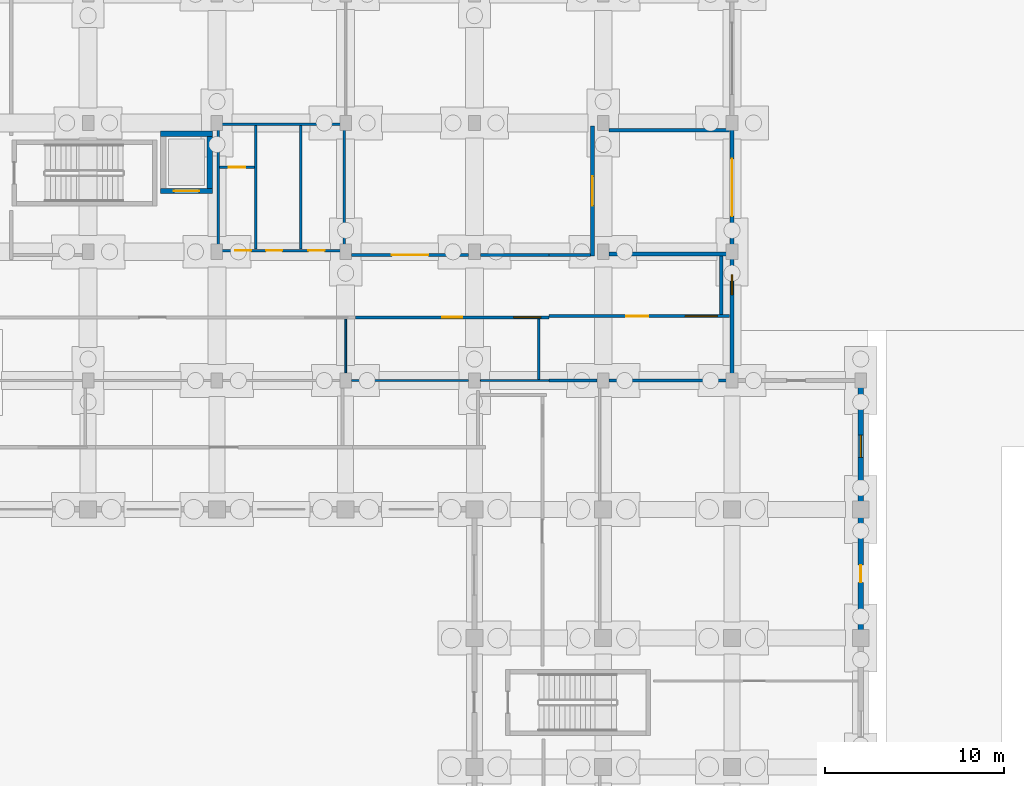
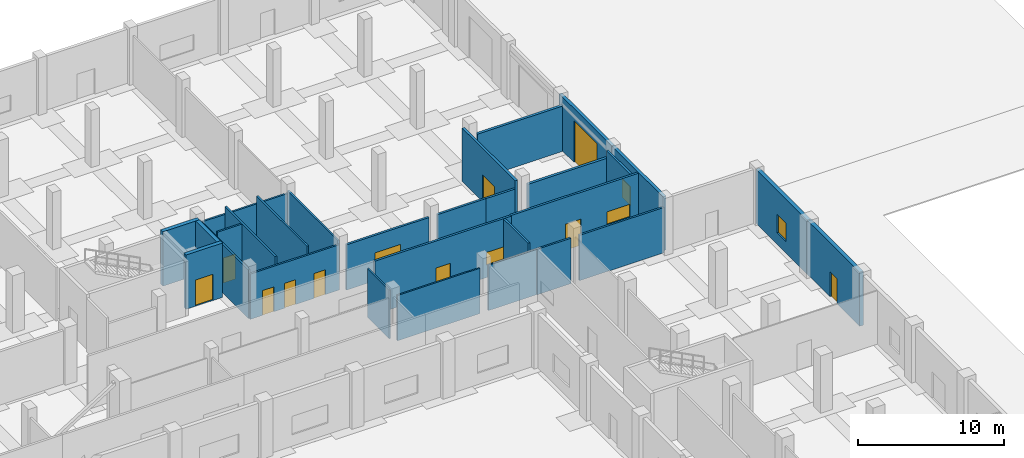
# One storey, part 34 of 48: 29 walls, 11 doors, 4 windows, 15 openings.
"""IFC4 building model written with IfcOpenShell, lengths in metres."""

from ifc_helpers import new_model, si_unit, direction, frame, frame_2d, origin, place, context, subcontext, project, spatial, rectangle, extrude, material, layer, layer_set, type_object, element, fill, save


model = new_model("IFC4")

# Units and contexts
model_context = context("Model", 3, precision=1e-05, world=origin(), true_north=direction((0.0, 1.0)))
body_context = subcontext(model_context, "Body", "Model", "MODEL_VIEW")
ifc_project = project(units=[si_unit("LENGTHUNIT", "METRE"), si_unit("AREAUNIT", "SQUARE_METRE"), si_unit("VOLUMEUNIT", "CUBIC_METRE"), si_unit("PLANEANGLEUNIT", "RADIAN"), si_unit("MASSUNIT", "GRAM", prefix="KILO")], contexts=[model_context])

# Site, building, storey
site_placement = place(None, origin())
site = spatial("IfcSite", under=ifc_project, at=site_placement, CompositionType="ELEMENT")
building_placement = place(site_placement, origin())
building = spatial("IfcBuilding", under=site, at=building_placement, Name="Seraya Terrace Polytechnic", CompositionType="ELEMENT")
storey_placement = place(building_placement, origin())
storey = spatial("IfcBuildingStorey", under=building, at=storey_placement, Name="L00", CompositionType="ELEMENT", Elevation=0.0)

# Wall, opening, window
ifc_material_1 = material(Name="Concrete C40/50", Category="concrete")
ifc_layer_1 = layer(ifc_material_1, 0.300048828125, Name="EW-01")
ifc_layer_set_1 = layer_set([ifc_layer_1], Name="Concrete C40/50")
wall_type_1 = type_object("IfcWallType", Name="EW-01", PredefinedType="SOLIDWALL", material=ifc_layer_set_1)
wall_1_placement = place(storey_placement, frame((165.60009765625, 79.048095703125, 0.0), z_axis=(0.0, 0.0, 1.0), x_axis=(0.0, -1.0, 0.0)))
wall_1 = element("IfcWall", 1, at=wall_1_placement, inside=storey, type_object=wall_type_1, Name="Exterior structural wall EW-01 L00", PredefinedType="SOLIDWALL", context=body_context, shape_type="SweptSolid", body=[
    extrude(rectangle(XDim=7.048095703125, YDim=0.300048828125, at=frame_2d((3.52392578125, 0.0))), origin(), (0.0, 0.0, 1.0), 4.52001953125),
])
opening_1_placement = place(wall_1_placement, frame((2.89892578125, 0.0, 0.949951171875)))
opening_1 = element("IfcOpeningElement", 2, at=opening_1_placement, cuts=wall_1, Name="Opening WN-14", PredefinedType="OPENING", context=body_context, shape_type="SweptSolid", body=[
    extrude(rectangle(XDim=1.25, YDim=1.550048828125, at=frame_2d((0.625, 0.77490234375))), frame((0.0, 0.162109375, 0.0), z_axis=(0.0, -1.0, 0.0), x_axis=(1.0, 0.0, 0.0)), (0.0, 0.0, 1.0), 0.323974609375),
])
ifc_material_2 = material(Name="Laminated solar-control Low-E double glazing", Category="glass")
window_type_1 = type_object("IfcWindowType", Name="WN-14", PartitioningType="SINGLE_PANEL", PredefinedType="WINDOW", material=ifc_material_2)
window_1_placement = place(opening_1_placement, origin())
window_1 = element("IfcWindow", 3, at=window_1_placement, inside=storey, type_object=window_type_1, Name="Exterior window WN-14 L00", OverallHeight=1.550048828125, OverallWidth=1.25, PartitioningType="SINGLE_PANEL", PredefinedType="WINDOW", context=body_context, shape_type="SweptSolid", body=[
    extrude(rectangle(XDim=1.25, YDim=1.550048828125, at=frame_2d((0.625, 0.77490234375))), frame((0.0, 0.030029296875, 0.0), z_axis=(0.0, -1.0, 0.0), x_axis=(1.0, 0.0, 0.0)), (0.0, 0.0, 1.0), 0.06005859375),
])
fill(opening_1, window_1)

# Wall, opening, door
wall_2_placement = place(storey_placement, frame((165.60009765625, 72.0, 0.0), z_axis=(0.0, 0.0, 1.0), x_axis=(0.0, -1.0, 0.0)))
wall_2 = element("IfcWall", 4, at=wall_2_placement, inside=storey, type_object=wall_type_1, Name="Exterior structural wall EW-01 L00", PredefinedType="SOLIDWALL", context=body_context, shape_type="SweptSolid", body=[
    extrude(rectangle(XDim=7.199951171875, YDim=0.300048828125, at=frame_2d((3.60009765625, 0.0))), origin(), (0.0, 0.0, 1.0), 4.52001953125),
])
opening_2_placement = place(wall_2_placement, frame((3.1201171875, 0.0, 0.0)))
opening_2 = element("IfcOpeningElement", 5, at=opening_2_placement, cuts=wall_2, Name="Opening ED-08", PredefinedType="OPENING", context=body_context, shape_type="SweptSolid", body=[
    extrude(rectangle(XDim=0.9599609375, YDim=2.10009765625, at=frame_2d((0.47998046875, 1.050048828125))), frame((0.0, 0.162109375, 0.0), z_axis=(0.0, -1.0, 0.0), x_axis=(1.0, 0.0, 0.0)), (0.0, 0.0, 1.0), 0.323974609375),
])
ifc_material_3 = material(Name="Anodised aluminium EN AW-6063 T6", Category="aluminium")
door_type_1 = type_object("IfcDoorType", Name="ED-08", OperationType="NOTDEFINED", PredefinedType="DOOR", material=ifc_material_3)
door_1_placement = place(opening_2_placement, origin())
door_1 = element("IfcDoor", 6, at=door_1_placement, inside=storey, type_object=door_type_1, Name="Door ED-08 DR-EXIT-L00-016 in WL-EXT-L00-07-01", OperationType="SINGLE_SWING_LEFT", OverallHeight=2.10009765625, OverallWidth=0.9599609375, PredefinedType="DOOR", context=body_context, shape_type="SweptSolid", body=[
    extrude(rectangle(XDim=0.9599609375, YDim=2.10009765625, at=frame_2d((0.47998046875, 1.050048828125))), frame((0.0, 0.02490234375, 0.0), z_axis=(0.0, -1.0, 0.0), x_axis=(1.0, 0.0, 0.0)), (0.0, 0.0, 1.0), 0.050048828125),
])
fill(opening_2, door_1)

ifc_layer_2 = layer(ifc_material_1, 0.239990234375, Name="EW-04")
ifc_layer_set_2 = layer_set([ifc_layer_2], Name="Concrete C40/50")
wall_type_2 = type_object("IfcWallType", Name="EW-04", PredefinedType="SOLIDWALL", material=ifc_layer_set_2)
wall_3_placement = place(storey_placement, frame((158.39990234375, 93.60009765625, 0.0), z_axis=(0.0, 0.0, 1.0), x_axis=(0.0, -1.0, 0.0)))
wall_3 = element("IfcWall", 7, at=wall_3_placement, inside=storey, type_object=wall_type_2, Name="Exterior structural wall EW-04 L00", PredefinedType="SOLIDWALL", context=body_context, shape_type="SweptSolid", body=[
    extrude(rectangle(XDim=7.2001953125, YDim=0.239990234375, at=frame_2d((3.60009765625, 0.0))), origin(), (0.0, 0.0, 1.0), 4.52001953125),
])
opening_3_placement = place(wall_3_placement, frame((2.0, 0.0, 0.0)))
opening_3 = element("IfcOpeningElement", 8, at=opening_3_placement, cuts=wall_3, Name="Opening GD-03", PredefinedType="OPENING", context=body_context, shape_type="SweptSolid", body=[
    extrude(rectangle(XDim=3.199951171875, YDim=3.5, at=frame_2d((1.60009765625, 1.75))), frame((0.0, 0.1318359375, 0.0), z_axis=(0.0, -1.0, 0.0), x_axis=(1.0, 0.0, 0.0)), (0.0, 0.0, 1.0), 0.263916015625),
])
ifc_material_4 = material(Name="Steel S355J2", Category="steel")
door_type_2 = type_object("IfcDoorType", Name="GD-03", OperationType="ROLLINGUP", PredefinedType="GATE", material=ifc_material_4)
door_2_placement = place(opening_3_placement, origin())
door_2 = element("IfcDoor", 9, at=door_2_placement, inside=storey, type_object=door_type_2, Name="Door GD-03 GT-L00-05-03 in WL-EXT-L00-05-03", OperationType="ROLLINGUP", OverallHeight=3.5, OverallWidth=3.199951171875, PredefinedType="GATE", context=body_context, shape_type="SweptSolid", body=[
    extrude(rectangle(XDim=3.199951171875, YDim=3.5, at=frame_2d((1.60009765625, 1.75))), frame((0.0, 0.02490234375, 0.0), z_axis=(0.0, -1.0, 0.0), x_axis=(1.0, 0.0, 0.0)), (0.0, 0.0, 1.0), 0.050048828125),
])
fill(opening_3, door_2)

# Wall, opening, window
wall_4_placement = place(storey_placement, frame((158.39990234375, 86.39990234375, 0.0), z_axis=(0.0, 0.0, 1.0), x_axis=(0.0, -1.0, 0.0)))
wall_4 = element("IfcWall", 10, at=wall_4_placement, inside=storey, type_object=wall_type_2, Name="Exterior structural wall EW-04 L00", PredefinedType="SOLIDWALL", context=body_context, shape_type="SweptSolid", body=[
    extrude(rectangle(XDim=7.0478515625, YDim=0.239990234375, at=frame_2d((3.52392578125, 0.0))), origin(), (0.0, 0.0, 1.0), 4.52001953125),
])
opening_4_placement = place(wall_4_placement, frame((1.2900390625, 0.0, 0.949951171875)))
opening_4 = element("IfcOpeningElement", 11, at=opening_4_placement, cuts=wall_4, Name="Opening WN-13", PredefinedType="OPENING", context=body_context, shape_type="SweptSolid", body=[
    extrude(rectangle(XDim=1.10009765625, YDim=1.550048828125, at=frame_2d((0.550048828125, 0.77490234375))), frame((0.0, 0.1318359375, 0.0), z_axis=(0.0, -1.0, 0.0), x_axis=(1.0, 0.0, 0.0)), (0.0, 0.0, 1.0), 0.263916015625),
])
window_type_2 = type_object("IfcWindowType", Name="WN-13", PartitioningType="SINGLE_PANEL", PredefinedType="WINDOW", material=ifc_material_2)
window_2_placement = place(opening_4_placement, origin())
window_2 = element("IfcWindow", 12, at=window_2_placement, inside=storey, type_object=window_type_2, Name="Exterior window WN-13 L00", OverallHeight=1.550048828125, OverallWidth=1.10009765625, PartitioningType="SINGLE_PANEL", PredefinedType="WINDOW", context=body_context, shape_type="SweptSolid", body=[
    extrude(rectangle(XDim=1.10009765625, YDim=1.550048828125, at=frame_2d((0.550048828125, 0.77490234375))), frame((0.0, 0.030029296875, 0.0), z_axis=(0.0, -1.0, 0.0), x_axis=(1.0, 0.0, 0.0)), (0.0, 0.0, 1.0), 0.06005859375),
])
fill(opening_4, window_2)

# Walls
ifc_material_5 = material(Name="Autoclaved aerated concrete blockwork", Category="masonry")
ifc_layer_3 = layer(ifc_material_5, 0.199951171875, Name="PT-01")
ifc_layer_set_3 = layer_set([ifc_layer_3], Name="Autoclaved aerated concrete blockwork")
wall_type_3 = type_object("IfcWallType", Name="PT-01", PredefinedType="PARTITIONING", material=ifc_layer_set_3)
for number, where, z_axis, x_axis, name in (
    (13, (151.534912109375, 86.27490234375, 0.0), (0.0, 0.0, 1.0), (1.0, 0.0, 0.0), "Internal partition PT-01 L00"),
    (14, (151.534912109375, 93.199951171875, 0.0), (0.0, 0.0, 1.0), (1.0, 0.0, 0.0), "Internal partition PT-01 L00"),
):
    element("IfcWall", number, at=place(storey_placement, frame(where, z_axis=z_axis, x_axis=x_axis)), inside=storey, type_object=wall_type_3, Name=name, PredefinedType="PARTITIONING", context=body_context, shape_type="SweptSolid", body=[
        extrude(rectangle(XDim=6.733154296875, YDim=0.199951171875, at=frame_2d((3.36669921875, 0.0))), origin(), (0.0, 0.0, 1.0), 3.800048828125),
    ])

# Wall, opening, door
wall_5_placement = place(storey_placement, frame((150.60009765625, 86.159912109375, 0.0), z_axis=(0.0, 0.0, 1.0), x_axis=(0.0, 1.0, 0.0)))
wall_5 = element("IfcWall", 15, at=wall_5_placement, inside=storey, type_object=wall_type_3, Name="Internal partition PT-01 L00", PredefinedType="PARTITIONING", context=body_context, shape_type="SweptSolid", body=[
    extrude(rectangle(XDim=7.280029296875, YDim=0.199951171875, at=frame_2d((3.64013671875, 0.0))), origin(), (0.0, 0.0, 1.0), 4.4599609375),
])
opening_5_placement = place(wall_5_placement, frame((2.820068359375, 0.0, 0.0)))
opening_5 = element("IfcOpeningElement", 16, at=opening_5_placement, cuts=wall_5, Name="Opening FD-03", PredefinedType="OPENING", context=body_context, shape_type="SweptSolid", body=[
    extrude(rectangle(XDim=1.639892578125, YDim=2.239990234375, at=frame_2d((0.81982421875, 1.1201171875))), frame((0.0, 0.11181640625, 0.0), z_axis=(0.0, -1.0, 0.0), x_axis=(1.0, 0.0, 0.0)), (0.0, 0.0, 1.0), 0.223876953125),
])
door_type_3 = type_object("IfcDoorType", Name="FD-03", OperationType="DOUBLE_DOOR_SINGLE_SWING", PredefinedType="DOOR", material=ifc_material_4)
door_3_placement = place(opening_5_placement, frame((1.639892578125, 0.0, 0.0), z_axis=(0.0, 0.0, 1.0), x_axis=(-1.0, 0.0, 0.0)))
door_3 = element("IfcDoor", 17, at=door_3_placement, inside=storey, type_object=door_type_3, Name="Door FD-03 DR-INT-L00-0027 in WL-INT-L00-0032", OperationType="DOUBLE_DOOR_SINGLE_SWING", OverallHeight=2.239990234375, OverallWidth=1.639892578125, PredefinedType="DOOR", context=body_context, shape_type="SweptSolid", body=[
    extrude(rectangle(XDim=1.639892578125, YDim=2.239990234375, at=frame_2d((0.81982421875, 1.1201171875))), frame((0.0, 0.02490234375, 0.0), z_axis=(0.0, -1.0, 0.0), x_axis=(1.0, 0.0, 0.0)), (0.0, 0.0, 1.0), 0.050048828125),
])
fill(opening_5, door_3)

ifc_layer_4 = layer(ifc_material_5, 0.169921875, Name="PT-02")
ifc_layer_set_4 = layer_set([ifc_layer_4], Name="Autoclaved aerated concrete blockwork")
wall_type_4 = type_object("IfcWallType", Name="PT-02", PredefinedType="PARTITIONING", material=ifc_layer_set_4)
wall_6_placement = place(storey_placement, frame((137.135009765625, 86.219970703125, 0.0), z_axis=(0.0, 0.0, 1.0), x_axis=(1.0, 0.0, 0.0)))
wall_6 = element("IfcWall", 18, at=wall_6_placement, inside=storey, type_object=wall_type_4, Name="Internal partition PT-02 L00", PredefinedType="PARTITIONING", context=body_context, shape_type="SweptSolid", body=[
    extrude(rectangle(XDim=6.530029296875, YDim=0.169921875, at=frame_2d((3.26513671875, 0.0))), origin(), (0.0, 0.0, 1.0), 3.800048828125),
])
opening_6_placement = place(wall_6_placement, frame((2.2451171875, 0.0, 0.0)))
opening_6 = element("IfcOpeningElement", 19, at=opening_6_placement, cuts=wall_6, Name="Opening ID-17", PredefinedType="OPENING", context=body_context, shape_type="SweptSolid", body=[
    extrude(rectangle(XDim=2.0400390625, YDim=2.340087890625, at=frame_2d((1.02001953125, 1.169921875))), frame((0.0, 0.096923828125, 0.0), z_axis=(0.0, -1.0, 0.0), x_axis=(1.0, 0.0, 0.0)), (0.0, 0.0, 1.0), 0.19384765625),
])
ifc_material_6 = material(Name="Malaysian dark red meranti hardwood timber D40", Category="wood")
door_type_4 = type_object("IfcDoorType", Name="ID-17", OperationType="DOUBLE_DOOR_SINGLE_SWING", PredefinedType="DOOR", material=ifc_material_6)
door_4_placement = place(opening_6_placement, origin())
door_4 = element("IfcDoor", 20, at=door_4_placement, inside=storey, type_object=door_type_4, Name="Door ID-17 DR-INT-L00-0030 in WL-INT-L00-0095", OperationType="DOUBLE_DOOR_SINGLE_SWING", OverallHeight=2.340087890625, OverallWidth=2.0400390625, PredefinedType="DOOR", context=body_context, shape_type="SweptSolid", body=[
    extrude(rectangle(XDim=2.0400390625, YDim=2.340087890625, at=frame_2d((1.02001953125, 1.169921875))), frame((0.0, 0.02490234375, 0.0), z_axis=(0.0, -1.0, 0.0), x_axis=(1.0, 0.0, 0.0)), (0.0, 0.0, 1.0), 0.050048828125),
])
fill(opening_6, door_4)

# Wall
wall_7_placement = place(storey_placement, frame((144.3349609375, 86.219970703125, 0.0), z_axis=(0.0, 0.0, 1.0), x_axis=(1.0, 0.0, 0.0)))
element("IfcWall", 21, at=wall_7_placement, inside=storey, type_object=wall_type_4, Name="Internal partition PT-02 L00", PredefinedType="PARTITIONING", context=body_context, shape_type="SweptSolid", body=[
    extrude(rectangle(XDim=3.824951171875, YDim=0.169921875, at=frame_2d((1.91259765625, 0.0))), origin(), (0.0, 0.0, 1.0), 3.800048828125),
])

# Wall, openings, door, window
wall_8_placement = place(storey_placement, frame((137.360107421875, 82.72998046875, 0.0), z_axis=(0.0, 0.0, 1.0), x_axis=(1.0, 0.0, 0.0)))
wall_8 = element("IfcWall", 22, at=wall_8_placement, inside=storey, type_object=wall_type_4, Name="Internal partition PT-02 L00", PredefinedType="PARTITIONING", context=body_context, shape_type="SweptSolid", body=[
    extrude(rectangle(XDim=10.7998046875, YDim=0.169921875, at=frame_2d((5.39990234375, 0.0))), origin(), (0.0, 0.0, 1.0), 4.4599609375),
])
opening_7_placement = place(wall_8_placement, frame((4.830078125, 0.0, 0.0)))
opening_7 = element("IfcOpeningElement", 23, at=opening_7_placement, cuts=wall_8, Name="Opening ID-06", PredefinedType="OPENING", context=body_context, shape_type="SweptSolid", body=[
    extrude(rectangle(XDim=1.139892578125, YDim=2.199951171875, at=frame_2d((0.56982421875, 1.10009765625))), frame((0.0, 0.096923828125, 0.0), z_axis=(0.0, -1.0, 0.0), x_axis=(1.0, 0.0, 0.0)), (0.0, 0.0, 1.0), 0.19384765625),
])
opening_8_placement = place(wall_8_placement, frame((8.85009765625, 0.0, 1.050048828125)))
opening_8 = element("IfcOpeningElement", 24, at=opening_8_placement, cuts=wall_8, Name="Opening IW-01", PredefinedType="OPENING", context=body_context, shape_type="SweptSolid", body=[
    extrude(rectangle(XDim=1.5, YDim=1.050048828125, at=frame_2d((0.75, 0.52490234375))), frame((0.0, 0.096923828125, 0.0), z_axis=(0.0, -1.0, 0.0), x_axis=(1.0, 0.0, 0.0)), (0.0, 0.0, 1.0), 0.19384765625),
])
door_type_5 = type_object("IfcDoorType", Name="ID-06", OperationType="NOTDEFINED", PredefinedType="DOOR", material=ifc_material_6)
door_5_placement = place(opening_7_placement, frame((1.139892578125, 0.0, 0.0), z_axis=(0.0, 0.0, 1.0), x_axis=(-1.0, 0.0, 0.0)))
door_5 = element("IfcDoor", 25, at=door_5_placement, inside=storey, type_object=door_type_5, Name="Door ID-06 DR-INT-L00-0019 in WL-INT-L00-0097", OperationType="SINGLE_SWING_RIGHT", OverallHeight=2.199951171875, OverallWidth=1.139892578125, PredefinedType="DOOR", context=body_context, shape_type="SweptSolid", body=[
    extrude(rectangle(XDim=1.139892578125, YDim=2.199951171875, at=frame_2d((0.56982421875, 1.10009765625))), frame((0.0, 0.02490234375, 0.0), z_axis=(0.0, -1.0, 0.0), x_axis=(1.0, 0.0, 0.0)), (0.0, 0.0, 1.0), 0.050048828125),
])
fill(opening_7, door_5)
window_type_3 = type_object("IfcWindowType", Name="IW-01", PartitioningType="SINGLE_PANEL", PredefinedType="WINDOW", material=ifc_material_2)
window_3_placement = place(opening_8_placement, origin())
window_3 = element("IfcWindow", 26, at=window_3_placement, inside=storey, type_object=window_type_3, Name="Internal lab vision window IW-01 L00", OverallHeight=1.050048828125, OverallWidth=1.5, PartitioningType="SINGLE_PANEL", PredefinedType="WINDOW", context=body_context, shape_type="SweptSolid", body=[
    extrude(rectangle(XDim=1.5, YDim=1.050048828125, at=frame_2d((0.75, 0.52490234375))), frame((0.0, 0.030029296875, 0.0), z_axis=(0.0, -1.0, 0.0), x_axis=(1.0, 0.0, 0.0)), (0.0, 0.0, 1.0), 0.06005859375),
])
fill(opening_8, window_3)

# Wall
wall_9_placement = place(storey_placement, frame((148.159912109375, 86.219970703125, 0.0), z_axis=(0.0, 0.0, 1.0), x_axis=(1.0, 0.0, 0.0)))
element("IfcWall", 27, at=wall_9_placement, inside=storey, type_object=wall_type_4, Name="Internal partition PT-02 L00", PredefinedType="PARTITIONING", context=body_context, shape_type="SweptSolid", body=[
    extrude(rectangle(XDim=2.3251953125, YDim=0.169921875, at=frame_2d((1.16259765625, 0.0))), origin(), (0.0, 0.0, 1.0), 3.800048828125),
])

# Wall, openings, door, window
wall_10_placement = place(storey_placement, frame((148.159912109375, 82.800048828125, 0.0), z_axis=(0.0, 0.0, 1.0), x_axis=(1.0, 0.0, 0.0)))
wall_10 = element("IfcWall", 28, at=wall_10_placement, inside=storey, type_object=wall_type_4, Name="Internal partition PT-02 L00", PredefinedType="PARTITIONING", context=body_context, shape_type="SweptSolid", body=[
    extrude(rectangle(XDim=10.108154296875, YDim=0.169921875, at=frame_2d((5.05419921875, 0.0))), origin(), (0.0, 0.0, 1.0), 4.4599609375),
])
opening_9_placement = place(wall_10_placement, frame((4.330078125, 0.0, 0.0)))
opening_9 = element("IfcOpeningElement", 29, at=opening_9_placement, cuts=wall_10, Name="Opening ID-07", PredefinedType="OPENING", context=body_context, shape_type="SweptSolid", body=[
    extrude(rectangle(XDim=1.219970703125, YDim=2.219970703125, at=frame_2d((0.60986328125, 1.10986328125))), frame((0.0, 0.096923828125, 0.0), z_axis=(0.0, -1.0, 0.0), x_axis=(1.0, 0.0, 0.0)), (0.0, 0.0, 1.0), 0.19384765625),
])
opening_10_placement = place(wall_10_placement, frame((7.6298828125, 0.0, 1.050048828125)))
opening_10 = element("IfcOpeningElement", 30, at=opening_10_placement, cuts=wall_10, Name="Opening IW-02", PredefinedType="OPENING", context=body_context, shape_type="SweptSolid", body=[
    extrude(rectangle(XDim=1.800048828125, YDim=1.050048828125, at=frame_2d((0.89990234375, 0.52490234375))), frame((0.0, 0.096923828125, 0.0), z_axis=(0.0, -1.0, 0.0), x_axis=(1.0, 0.0, 0.0)), (0.0, 0.0, 1.0), 0.19384765625),
])
door_type_6 = type_object("IfcDoorType", Name="ID-07", OperationType="NOTDEFINED", PredefinedType="DOOR", material=ifc_material_6)
door_6_placement = place(opening_9_placement, origin())
door_6 = element("IfcDoor", 31, at=door_6_placement, inside=storey, type_object=door_type_6, Name="Door ID-07 DR-INT-L00-0020 in WL-INT-L00-0099", OperationType="SINGLE_SWING_LEFT", OverallHeight=2.219970703125, OverallWidth=1.219970703125, PredefinedType="DOOR", context=body_context, shape_type="SweptSolid", body=[
    extrude(rectangle(XDim=1.219970703125, YDim=2.219970703125, at=frame_2d((0.60986328125, 1.10986328125))), frame((0.0, 0.02490234375, 0.0), z_axis=(0.0, -1.0, 0.0), x_axis=(1.0, 0.0, 0.0)), (0.0, 0.0, 1.0), 0.050048828125),
])
fill(opening_9, door_6)
window_type_4 = type_object("IfcWindowType", Name="IW-02", PartitioningType="SINGLE_PANEL", PredefinedType="WINDOW", material=ifc_material_2)
window_4_placement = place(opening_10_placement, origin())
window_4 = element("IfcWindow", 32, at=window_4_placement, inside=storey, type_object=window_type_4, Name="Internal lab vision window IW-02 L00", OverallHeight=1.050048828125, OverallWidth=1.800048828125, PartitioningType="SINGLE_PANEL", PredefinedType="WINDOW", context=body_context, shape_type="SweptSolid", body=[
    extrude(rectangle(XDim=1.800048828125, YDim=1.050048828125, at=frame_2d((0.89990234375, 0.52490234375))), frame((0.0, 0.030029296875, 0.0), z_axis=(0.0, -1.0, 0.0), x_axis=(1.0, 0.0, 0.0)), (0.0, 0.0, 1.0), 0.06005859375),
])
fill(opening_10, window_4)

# Walls
wall_11_placement = place(storey_placement, frame((157.800048828125, 82.89990234375, 0.0), z_axis=(0.0, 0.0, 1.0), x_axis=(0.0, 1.0, 0.0)))
element("IfcWall", 33, at=wall_11_placement, inside=storey, type_object=wall_type_4, Name="Internal partition PT-02 L00", PredefinedType="PARTITIONING", context=body_context, shape_type="SweptSolid", body=[
    extrude(rectangle(XDim=3.260009765625, YDim=0.169921875, at=frame_2d((1.6298828125, 0.0))), origin(), (0.0, 0.0, 1.0), 4.4599609375),
])
ifc_layer_5 = layer(ifc_material_5, 0.14990234375, Name="PT-03")
ifc_layer_set_5 = layer_set([ifc_layer_5], Name="Autoclaved aerated concrete blockwork")
wall_type_5 = type_object("IfcWallType", Name="PT-03", PredefinedType="PARTITIONING", material=ifc_layer_set_5)
wall_12_placement = place(storey_placement, frame((148.159912109375, 79.199951171875, 0.0), z_axis=(0.0, 0.0, 1.0), x_axis=(1.0, 0.0, 0.0)))
element("IfcWall", 34, at=wall_12_placement, inside=storey, type_object=wall_type_5, Name="Internal partition PT-03 L00", PredefinedType="PARTITIONING", context=body_context, shape_type="SweptSolid", body=[
    extrude(rectangle(XDim=2.705078125, YDim=0.14990234375, at=frame_2d((1.3525390625, 0.0))), origin(), (0.0, 0.0, 1.0), 3.800048828125),
])
wall_13_placement = place(storey_placement, frame((151.534912109375, 79.199951171875, 0.0), z_axis=(0.0, 0.0, 1.0), x_axis=(1.0, 0.0, 0.0)))
element("IfcWall", 35, at=wall_13_placement, inside=storey, type_object=wall_type_5, Name="Internal partition PT-03 L00", PredefinedType="PARTITIONING", context=body_context, shape_type="SweptSolid", body=[
    extrude(rectangle(XDim=6.703125, YDim=0.14990234375, at=frame_2d((3.3515625, 0.0))), origin(), (0.0, 0.0, 1.0), 3.800048828125),
])
wall_14_placement = place(storey_placement, frame((147.60009765625, 79.264892578125, 0.0), z_axis=(0.0, 0.0, 1.0), x_axis=(0.0, 1.0, 0.0)))
element("IfcWall", 36, at=wall_14_placement, inside=storey, type_object=wall_type_5, Name="Internal partition PT-03 L00", PredefinedType="PARTITIONING", context=body_context, shape_type="SweptSolid", body=[
    extrude(rectangle(XDim=3.364990234375, YDim=0.14990234375, at=frame_2d((1.6826171875, 0.0))), origin(), (0.0, 0.0, 1.0), 4.4599609375),
])

# Wall, openings, doors
ifc_layer_6 = layer(ifc_material_5, 0.139892578125, Name="PT-04")
ifc_layer_set_6 = layer_set([ifc_layer_6], Name="Autoclaved aerated concrete blockwork")
wall_type_6 = type_object("IfcWallType", Name="PT-04", PredefinedType="PARTITIONING", material=ifc_layer_set_6)
wall_15_placement = place(storey_placement, frame((129.669921875, 86.469970703125, 0.0), z_axis=(0.0, 0.0, 1.0), x_axis=(1.0, 0.0, 0.0)))
wall_15 = element("IfcWall", 37, at=wall_15_placement, inside=storey, type_object=wall_type_6, Name="Sanitary WC-C South wall L00", PredefinedType="PARTITIONING", context=body_context, shape_type="SweptSolid", body=[
    extrude(rectangle(XDim=7.06005859375, YDim=0.139892578125, at=frame_2d((3.530029296875, 0.0))), origin(), (0.0, 0.0, 1.0), 3.800048828125),
])
opening_11_placement = place(wall_15_placement, frame((0.949951171875, 0.0, 0.0)))
opening_11 = element("IfcOpeningElement", 38, at=opening_11_placement, cuts=wall_15, Name="Opening ID-02", PredefinedType="OPENING", context=body_context, shape_type="SweptSolid", body=[
    extrude(rectangle(XDim=0.89990234375, YDim=2.080078125, at=frame_2d((0.449951171875, 1.0400390625))), frame((0.0, 0.08203125, 0.0), z_axis=(0.0, -1.0, 0.0), x_axis=(1.0, 0.0, 0.0)), (0.0, 0.0, 1.0), 0.163818359375),
])
opening_12_placement = place(wall_15_placement, frame((2.679931640625, 0.0, 0.0)))
opening_12 = element("IfcOpeningElement", 39, at=opening_12_placement, cuts=wall_15, Name="Opening ID-02", PredefinedType="OPENING", context=body_context, shape_type="SweptSolid", body=[
    extrude(rectangle(XDim=0.89990234375, YDim=2.080078125, at=frame_2d((0.449951171875, 1.0400390625))), frame((0.0, 0.08203125, 0.0), z_axis=(0.0, -1.0, 0.0), x_axis=(1.0, 0.0, 0.0)), (0.0, 0.0, 1.0), 0.163818359375),
])
opening_13_placement = place(wall_15_placement, frame((5.050048828125, 0.0, 0.0)))
opening_13 = element("IfcOpeningElement", 40, at=opening_13_placement, cuts=wall_15, Name="Opening ID-02", PredefinedType="OPENING", context=body_context, shape_type="SweptSolid", body=[
    extrude(rectangle(XDim=0.89990234375, YDim=2.080078125, at=frame_2d((0.449951171875, 1.0400390625))), frame((0.0, 0.08203125, 0.0), z_axis=(0.0, -1.0, 0.0), x_axis=(1.0, 0.0, 0.0)), (0.0, 0.0, 1.0), 0.163818359375),
])
door_type_7 = type_object("IfcDoorType", Name="ID-02", OperationType="NOTDEFINED", PredefinedType="DOOR", material=ifc_material_6)
door_7_placement = place(opening_11_placement, origin())
door_7 = element("IfcDoor", 41, at=door_7_placement, inside=storey, type_object=door_type_7, Name="Door ID-02 DR-WC-WC-C-L00-CLN in WL-WC-WC-C-L00-S", OperationType="SINGLE_SWING_LEFT", OverallHeight=2.080078125, OverallWidth=0.89990234375, PredefinedType="DOOR", context=body_context, shape_type="SweptSolid", body=[
    extrude(rectangle(XDim=0.89990234375, YDim=2.080078125, at=frame_2d((0.449951171875, 1.0400390625))), frame((0.0, 0.02490234375, 0.0), z_axis=(0.0, -1.0, 0.0), x_axis=(1.0, 0.0, 0.0)), (0.0, 0.0, 1.0), 0.050048828125),
])
fill(opening_11, door_7)
door_8_placement = place(opening_12_placement, origin())
door_8 = element("IfcDoor", 42, at=door_8_placement, inside=storey, type_object=door_type_7, Name="Door ID-02 DR-WC-WC-C-L00-M in WL-WC-WC-C-L00-S", OperationType="SINGLE_SWING_RIGHT", OverallHeight=2.080078125, OverallWidth=0.89990234375, PredefinedType="DOOR", context=body_context, shape_type="SweptSolid", body=[
    extrude(rectangle(XDim=0.89990234375, YDim=2.080078125, at=frame_2d((0.449951171875, 1.0400390625))), frame((0.0, 0.02490234375, 0.0), z_axis=(0.0, -1.0, 0.0), x_axis=(1.0, 0.0, 0.0)), (0.0, 0.0, 1.0), 0.050048828125),
])
fill(opening_12, door_8)
door_9_placement = place(opening_13_placement, origin())
door_9 = element("IfcDoor", 43, at=door_9_placement, inside=storey, type_object=door_type_7, Name="Door ID-02 DR-WC-WC-C-L00-F in WL-WC-WC-C-L00-S", OperationType="SINGLE_SWING_LEFT", OverallHeight=2.080078125, OverallWidth=0.89990234375, PredefinedType="DOOR", context=body_context, shape_type="SweptSolid", body=[
    extrude(rectangle(XDim=0.89990234375, YDim=2.080078125, at=frame_2d((0.449951171875, 1.0400390625))), frame((0.0, 0.02490234375, 0.0), z_axis=(0.0, -1.0, 0.0), x_axis=(1.0, 0.0, 0.0)), (0.0, 0.0, 1.0), 0.050048828125),
])
fill(opening_13, door_9)

# Walls
wall_16_placement = place(storey_placement, frame((129.669921875, 93.530029296875, 0.0), z_axis=(0.0, 0.0, 1.0), x_axis=(1.0, 0.0, 0.0)))
element("IfcWall", 44, at=wall_16_placement, inside=storey, type_object=wall_type_6, Name="Sanitary WC-C North wall L00", PredefinedType="PARTITIONING", context=body_context, shape_type="SweptSolid", body=[
    extrude(rectangle(XDim=7.06005859375, YDim=0.139892578125, at=frame_2d((3.530029296875, 0.0))), origin(), (0.0, 0.0, 1.0), 3.800048828125),
])
for number, where, z_axis, x_axis, name in (
    (45, (129.669921875, 86.550048828125, 0.0), (0.0, 0.0, 1.0), (0.0, 1.0, 0.0), "Sanitary WC-C West wall L00"),
    (46, (136.72998046875, 86.550048828125, 0.0), (0.0, 0.0, 1.0), (0.0, 1.0, 0.0), "Sanitary WC-C East wall L00"),
):
    element("IfcWall", number, at=place(storey_placement, frame(where, z_axis=z_axis, x_axis=x_axis)), inside=storey, type_object=wall_type_6, Name=name, PredefinedType="PARTITIONING", context=body_context, shape_type="SweptSolid", body=[
        extrude(rectangle(XDim=6.89990234375, YDim=0.139892578125, at=frame_2d((3.449951171875, 0.0))), origin(), (0.0, 0.0, 1.0), 4.080078125),
    ])
for number, where, z_axis, x_axis, name in (
    (47, (131.780029296875, 86.550048828125, 0.0), (0.0, 0.0, 1.0), (0.0, 1.0, 0.0), "Sanitary WC-C OKU/Male divider L00"),
    (48, (134.2900390625, 86.550048828125, 0.0), (0.0, 0.0, 1.0), (0.0, 1.0, 0.0), "Sanitary WC-C Male/Female divider L00"),
):
    element("IfcWall", number, at=place(storey_placement, frame(where, z_axis=z_axis, x_axis=x_axis)), inside=storey, type_object=wall_type_6, Name=name, PredefinedType="PARTITIONING", context=body_context, shape_type="SweptSolid", body=[
        extrude(rectangle(XDim=6.89990234375, YDim=0.139892578125, at=frame_2d((3.449951171875, 0.0))), origin(), (0.0, 0.0, 1.0), 4.4599609375),
    ])

# Wall, opening, door
wall_17_placement = place(storey_placement, frame((129.75, 91.1201171875, 0.0), z_axis=(0.0, 0.0, 1.0), x_axis=(1.0, 0.0, 0.0)))
wall_17 = element("IfcWall", 49, at=wall_17_placement, inside=storey, type_object=wall_type_6, Name="Sanitary WC-C OKU/Cleaner divider L00", PredefinedType="PARTITIONING", context=body_context, shape_type="SweptSolid", body=[
    extrude(rectangle(XDim=1.949951171875, YDim=0.139892578125, at=frame_2d((0.97509765625, 0.0))), origin(), (0.0, 0.0, 1.0), 4.4599609375),
])
opening_14_placement = place(wall_17_placement, frame((0.5, 0.0, 0.0)))
opening_14 = element("IfcOpeningElement", 50, at=opening_14_placement, cuts=wall_17, Name="Opening ID-01", PredefinedType="OPENING", context=body_context, shape_type="SweptSolid", body=[
    extrude(rectangle(XDim=0.93994140625, YDim=2.10009765625, at=frame_2d((0.469970703125, 1.050048828125))), frame((0.0, 0.08203125, 0.0), z_axis=(0.0, -1.0, 0.0), x_axis=(1.0, 0.0, 0.0)), (0.0, 0.0, 1.0), 0.163818359375),
])
door_type_8 = type_object("IfcDoorType", Name="ID-01", OperationType="NOTDEFINED", PredefinedType="DOOR", material=ifc_material_6)
door_10_placement = place(opening_14_placement, frame((0.93994140625, 0.0, 0.0), z_axis=(0.0, 0.0, 1.0), x_axis=(-1.0, 0.0, 0.0)))
door_10 = element("IfcDoor", 51, at=door_10_placement, inside=storey, type_object=door_type_8, Name="Door ID-01 DR-WC-WC-C-L00-OKU in WL-WC-WC-C-L00-DH", OperationType="SINGLE_SWING_RIGHT", OverallHeight=2.10009765625, OverallWidth=0.93994140625, PredefinedType="DOOR", context=body_context, shape_type="SweptSolid", body=[
    extrude(rectangle(XDim=0.93994140625, YDim=2.10009765625, at=frame_2d((0.469970703125, 1.050048828125))), frame((0.0, 0.02490234375, 0.0), z_axis=(0.0, -1.0, 0.0), x_axis=(1.0, 0.0, 0.0)), (0.0, 0.0, 1.0), 0.050048828125),
])
fill(opening_14, door_10)

# Walls
ifc_layer_7 = layer(ifc_material_5, 0.1201171875, Name="PT-05")
ifc_layer_set_7 = layer_set([ifc_layer_7], Name="Autoclaved aerated concrete blockwork")
wall_type_7 = type_object("IfcWallType", Name="PT-05", PredefinedType="PARTITIONING", material=ifc_layer_set_7)
wall_18_placement = place(storey_placement, frame((137.135009765625, 79.199951171875, 0.0), z_axis=(0.0, 0.0, 1.0), x_axis=(1.0, 0.0, 0.0)))
element("IfcWall", 52, at=wall_18_placement, inside=storey, type_object=wall_type_7, Name="Internal partition PT-05 L00", PredefinedType="PARTITIONING", context=body_context, shape_type="SweptSolid", body=[
    extrude(rectangle(XDim=6.530029296875, YDim=0.1201171875, at=frame_2d((3.26513671875, 0.0))), origin(), (0.0, 0.0, 1.0), 3.800048828125),
])
ifc_layer_8 = layer(ifc_material_5, 0.10009765625, Name="PT-06")
ifc_layer_set_8 = layer_set([ifc_layer_8], Name="Autoclaved aerated concrete blockwork")
wall_type_8 = type_object("IfcWallType", Name="PT-06", PredefinedType="PARTITIONING", material=ifc_layer_set_8)
wall_19_placement = place(storey_placement, frame((144.3349609375, 79.199951171875, 0.0), z_axis=(0.0, 0.0, 1.0), x_axis=(1.0, 0.0, 0.0)))
element("IfcWall", 53, at=wall_19_placement, inside=storey, type_object=wall_type_8, Name="Internal partition PT-06 L00", PredefinedType="PARTITIONING", context=body_context, shape_type="SweptSolid", body=[
    extrude(rectangle(XDim=3.824951171875, YDim=0.10009765625, at=frame_2d((1.91259765625, 0.0))), origin(), (0.0, 0.0, 1.0), 3.800048828125),
])
wall_20_placement = place(storey_placement, frame((136.800048828125, 79.635009765625, 0.0), z_axis=(0.0, 0.0, 1.0), x_axis=(0.0, 1.0, 0.0)))
element("IfcWall", 54, at=wall_20_placement, inside=storey, type_object=wall_type_8, Name="Internal partition PT-06 L00", PredefinedType="PARTITIONING", context=body_context, shape_type="SweptSolid", body=[
    extrude(rectangle(XDim=2.994873046875, YDim=0.10009765625, at=frame_2d((1.49755859375, 0.0))), origin(), (0.0, 0.0, 1.0), 4.080078125),
])

# Wall, opening, door
ifc_layer_9 = layer(ifc_material_1, 0.300048828125, Name="SW-01")
ifc_layer_set_9 = layer_set([ifc_layer_9], Name="Concrete C40/50")
wall_type_9 = type_object("IfcWallType", Name="SW-01", PredefinedType="SHEAR", material=ifc_layer_set_9)
wall_21_placement = place(storey_placement, frame((126.449951171875, 89.800048828125, 0.0), z_axis=(0.0, 0.0, 1.0), x_axis=(1.0, 0.0, 0.0)))
wall_21 = element("IfcWall", 55, at=wall_21_placement, inside=storey, type_object=wall_type_9, Name="Lift shaft GL-01 South wall L00", PredefinedType="SHEAR", context=body_context, shape_type="SweptSolid", body=[
    extrude(rectangle(XDim=2.900146484375, YDim=0.300048828125, at=frame_2d((1.4501953125, 0.0))), origin(), (0.0, 0.0, 1.0), 4.550048828125),
])
opening_15_placement = place(wall_21_placement, frame((0.75, 0.0, 0.0)))
opening_15 = element("IfcOpeningElement", 56, at=opening_15_placement, cuts=wall_21, Name="Opening LD-02", PredefinedType="OPENING", context=body_context, shape_type="SweptSolid", body=[
    extrude(rectangle(XDim=1.39990234375, YDim=2.199951171875, at=frame_2d((0.699951171875, 1.10009765625))), frame((0.0, 0.162109375, 0.0), z_axis=(0.0, -1.0, 0.0), x_axis=(1.0, 0.0, 0.0)), (0.0, 0.0, 1.0), 0.323974609375),
])
door_type_9 = type_object("IfcDoorType", Name="LD-02", OperationType="SLIDING_TO_RIGHT", PredefinedType="DOOR", material=ifc_material_4)
door_11_placement = place(opening_15_placement, frame((1.39990234375, 0.0, 0.0), z_axis=(0.0, 0.0, 1.0), x_axis=(-1.0, 0.0, 0.0)))
door_11 = element("IfcDoor", 57, at=door_11_placement, inside=storey, type_object=door_type_9, Name="Door LD-02 LD-GL-01-L00 in WL-SHF-GL-01-L00-S", OperationType="SLIDING_TO_LEFT", OverallHeight=2.199951171875, OverallWidth=1.39990234375, PredefinedType="DOOR", context=body_context, shape_type="SweptSolid", body=[
    extrude(rectangle(XDim=1.39990234375, YDim=2.199951171875, at=frame_2d((0.699951171875, 1.10009765625))), frame((0.0, 0.02490234375, 0.0), z_axis=(0.0, -1.0, 0.0), x_axis=(1.0, 0.0, 0.0)), (0.0, 0.0, 1.0), 0.050048828125),
])
fill(opening_15, door_11)

# Walls
for number, where, z_axis, x_axis, name in (
    (58, (126.449951171875, 93.0, 0.0), (0.0, 0.0, 1.0), (1.0, 0.0, 0.0), "Lift shaft GL-01 North wall L00"),
    (59, (129.199951171875, 89.949951171875, 0.0), (0.0, 0.0, 1.0), (0.0, 1.0, 0.0), "Lift shaft GL-01 East wall L00"),
):
    element("IfcWall", number, at=place(storey_placement, frame(where, z_axis=z_axis, x_axis=x_axis)), inside=storey, type_object=wall_type_9, Name=name, PredefinedType="SHEAR", context=body_context, shape_type="SweptSolid", body=[
        extrude(rectangle(XDim=2.900146484375, YDim=0.300048828125, at=frame_2d((1.4501953125, 0.0))), origin(), (0.0, 0.0, 1.0), 4.550048828125),
    ])

save(model, "model.ifc")
